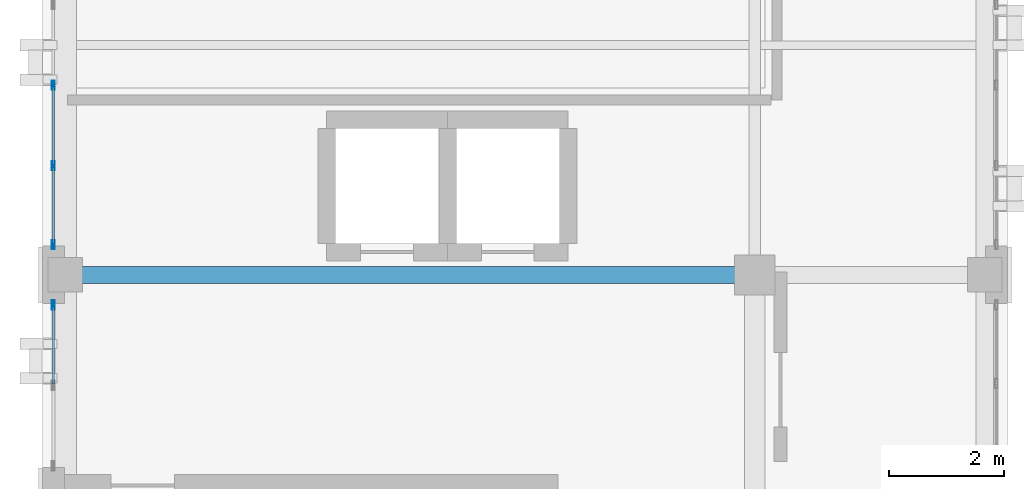
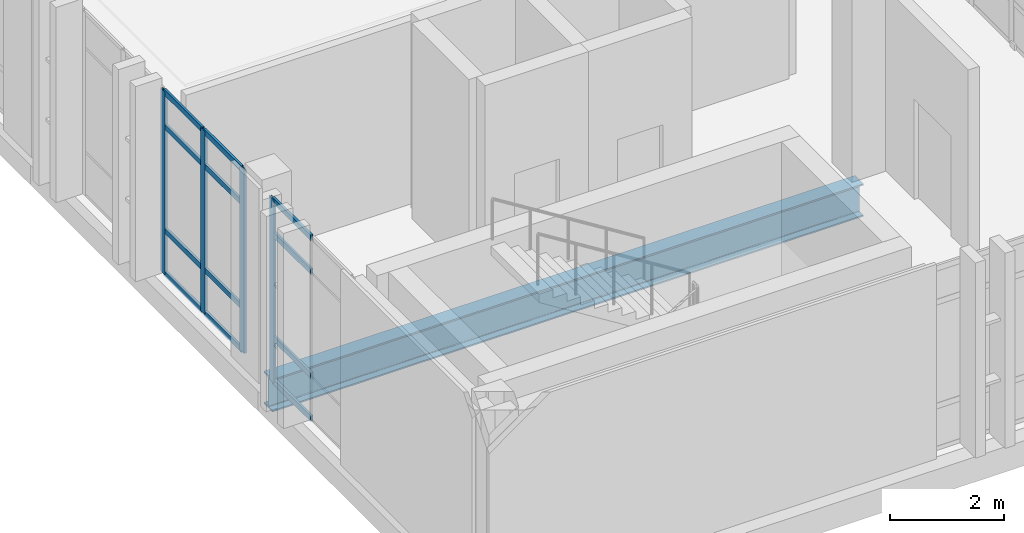
# One storey, part 4 of 90: 16 members, 1 beam, 2 elements without a shape of their own.
"""IFC4 building model written with IfcOpenShell, lengths in metres."""

from ifc_helpers import new_model, si_unit, direction, frame, origin, origin_2d, place, context, subcontext, project, spatial, hollow_rectangle, i_section, extrude, material, layer, layer_set, material_profile, profile_set, type_object, element, aggregate, save


model = new_model("IFC4")

# Units and contexts
model_context = context("Model", 3, precision=1e-05, world=origin(), true_north=direction((0.0, 1.0)))
body_context = subcontext(model_context, "Body", "Model", "MODEL_VIEW")
ifc_project = project(units=[si_unit("LENGTHUNIT", "METRE"), si_unit("AREAUNIT", "SQUARE_METRE"), si_unit("VOLUMEUNIT", "CUBIC_METRE"), si_unit("PLANEANGLEUNIT", "RADIAN"), si_unit("MASSUNIT", "GRAM", prefix="KILO")], contexts=[model_context])

# Site, building, storey
site_placement = place(None, origin())
site = spatial("IfcSite", under=ifc_project, at=site_placement, CompositionType="ELEMENT")
building_placement = place(site_placement, origin())
building = spatial("IfcBuilding", under=site, at=building_placement, Name="Qalavern Law Courts", CompositionType="ELEMENT")
storey_placement = place(building_placement, frame((0.0, 0.0, 22.800048828125)))
storey = spatial("IfcBuildingStorey", under=building, at=storey_placement, Name="L05", CompositionType="ELEMENT", Elevation=22.800048828125)

# Curtain wall, members
ifc_material_1 = material(Name="Anodised aluminium and insulated glazing", Category="aluminium")
ifc_layer = layer(ifc_material_1, 0.159912109375)
ifc_layer_set = layer_set([ifc_layer], Name="Anodised aluminium and insulated glazing")
curtain_wall_type = type_object("IfcCurtainWallType", Name="ENV-CW-CHAMB", PredefinedType="USERDEFINED", material=ifc_layer_set)
curtain_wall_1_placement = place(storey_placement, origin())
curtain_wall_1 = element("IfcCurtainWall", 1, at=curtain_wall_1_placement, inside=storey, type_object=curtain_wall_type, Name="V3 unitised curtain wall L05 west 6", ObjectType="UNITISED CURTAIN WALL", PredefinedType="USERDEFINED")
ifc_material_2 = material(Name="Anodised aluminium", Category="aluminium")
ifc_material_profile_1 = material_profile(ifc_material_2, hollow_rectangle(XDim=0.048095703125, YDim=0.159912109375, WallThickness=0.00390625, at=origin_2d()), Name="ALU MULLION 48x160")
ifc_profile_set_1 = profile_set([ifc_material_profile_1], Name="Anodised aluminium")
member_type_1 = type_object("IfcMemberType", Name="ENV-CWM-48x160", PredefinedType="MULLION", material=ifc_profile_set_1)
member_1_placement = place(storey_placement, frame((2.1923828125, 52.699951171875, 0.0), z_axis=(0.0, 0.0, 1.0), x_axis=(1.0, 0.0, 0.0)))
member_1 = element("IfcMember", 2, at=member_1_placement, type_object=member_type_1, Name="CW-04 mullion 4", PredefinedType="MULLION", context=body_context, shape_type="SweptSolid", body=[
    extrude(hollow_rectangle(XDim=0.048095703125, YDim=0.159912109375, WallThickness=0.00390625, at=origin_2d()), origin(), (0.0, 0.0, 1.0), 3.929931640625),
])
member_2_placement = place(storey_placement, frame((2.1923828125, 51.300048828125, 0.0), z_axis=(0.0, 0.0, 1.0), x_axis=(1.0, 0.0, 0.0)))
member_2 = element("IfcMember", 3, at=member_2_placement, type_object=member_type_1, Name="CW-04 mullion 5", PredefinedType="MULLION", context=body_context, shape_type="SweptSolid", body=[
    extrude(hollow_rectangle(XDim=0.048095703125, YDim=0.159912109375, WallThickness=0.00390625, at=origin_2d()), origin(), (0.0, 0.0, 1.0), 3.929931640625),
])
member_3_placement = place(storey_placement, frame((2.1923828125, 49.924072265625, 0.0), z_axis=(0.0, 0.0, 1.0), x_axis=(1.0, 0.0, 0.0)))
member_3 = element("IfcMember", 4, at=member_3_placement, type_object=member_type_1, Name="CW-04 mullion 6", PredefinedType="MULLION", context=body_context, shape_type="SweptSolid", body=[
    extrude(hollow_rectangle(XDim=0.048095703125, YDim=0.159912109375, WallThickness=0.00390625, at=origin_2d()), origin(), (0.0, 0.0, 1.0), 3.929931640625),
])

# Curtain wall, member
curtain_wall_2_placement = place(storey_placement, origin())
curtain_wall_2 = element("IfcCurtainWall", 5, at=curtain_wall_2_placement, inside=storey, type_object=curtain_wall_type, Name="V3 unitised curtain wall L05 west 7", ObjectType="UNITISED CURTAIN WALL", PredefinedType="USERDEFINED")
member_4_placement = place(storey_placement, frame((2.1923828125, 48.8759765625, 0.0), z_axis=(0.0, 0.0, 1.0), x_axis=(1.0, 0.0, 0.0)))
member_4 = element("IfcMember", 6, at=member_4_placement, type_object=member_type_1, Name="CW-04 mullion 1", PredefinedType="MULLION", context=body_context, shape_type="SweptSolid", body=[
    extrude(hollow_rectangle(XDim=0.048095703125, YDim=0.159912109375, WallThickness=0.00390625, at=origin_2d()), origin(), (0.0, 0.0, 1.0), 3.929931640625),
])

# Member
ifc_material_profile_2 = material_profile(ifc_material_2, hollow_rectangle(XDim=0.048095703125, YDim=0.1201171875, WallThickness=0.00390625, at=origin_2d()), Name="ALU TRANSOM 48x120")
ifc_profile_set_2 = profile_set([ifc_material_profile_2], Name="Anodised aluminium")
member_type_2 = type_object("IfcMemberType", Name="ENV-CWT-48x120", PredefinedType="USERDEFINED", material=ifc_profile_set_2)
member_5_placement = place(storey_placement, frame((2.1923828125, 52.676025390625, 0.02392578125), z_axis=(0.0, -1.0, 0.0), x_axis=(1.0, 0.0, 0.0)))
member_5 = element("IfcMember", 7, at=member_5_placement, type_object=member_type_2, Name="CW-04 transom 4.1", ObjectType="TRANSOM", PredefinedType="USERDEFINED", context=body_context, shape_type="SweptSolid", body=[
    extrude(hollow_rectangle(XDim=0.048095703125, YDim=0.1201171875, WallThickness=0.00390625, at=origin_2d()), origin(), (0.0, 0.0, 1.0), 1.35205078125),
])

member_6_placement = place(storey_placement, frame((2.1923828125, 52.676025390625, 0.949951171875), z_axis=(0.0, -1.0, 0.0), x_axis=(1.0, 0.0, 0.0)))
member_6 = element("IfcMember", 8, at=member_6_placement, type_object=member_type_2, Name="CW-04 transom 4.2", ObjectType="TRANSOM", PredefinedType="USERDEFINED", context=body_context, shape_type="SweptSolid", body=[
    extrude(hollow_rectangle(XDim=0.048095703125, YDim=0.1201171875, WallThickness=0.00390625, at=origin_2d()), origin(), (0.0, 0.0, 1.0), 1.35205078125),
])

member_7_placement = place(storey_placement, frame((2.1923828125, 52.676025390625, 3.179931640625), z_axis=(0.0, -1.0, 0.0), x_axis=(1.0, 0.0, 0.0)))
member_7 = element("IfcMember", 9, at=member_7_placement, type_object=member_type_2, Name="CW-04 transom 4.3", ObjectType="TRANSOM", PredefinedType="USERDEFINED", context=body_context, shape_type="SweptSolid", body=[
    extrude(hollow_rectangle(XDim=0.048095703125, YDim=0.1201171875, WallThickness=0.00390625, at=origin_2d()), origin(), (0.0, 0.0, 1.0), 1.35205078125),
])

member_8_placement = place(storey_placement, frame((2.1923828125, 52.676025390625, 3.906005859375), z_axis=(0.0, -1.0, 0.0), x_axis=(1.0, 0.0, 0.0)))
member_8 = element("IfcMember", 10, at=member_8_placement, type_object=member_type_2, Name="CW-04 transom 4.4", ObjectType="TRANSOM", PredefinedType="USERDEFINED", context=body_context, shape_type="SweptSolid", body=[
    extrude(hollow_rectangle(XDim=0.048095703125, YDim=0.1201171875, WallThickness=0.00390625, at=origin_2d()), origin(), (0.0, 0.0, 1.0), 1.35205078125),
])

member_9_placement = place(storey_placement, frame((2.1923828125, 51.27587890625, 0.02392578125), z_axis=(0.0, -1.0, 0.0), x_axis=(1.0, 0.0, 0.0)))
member_9 = element("IfcMember", 11, at=member_9_placement, type_object=member_type_2, Name="CW-04 transom 5.1", ObjectType="TRANSOM", PredefinedType="USERDEFINED", context=body_context, shape_type="SweptSolid", body=[
    extrude(hollow_rectangle(XDim=0.048095703125, YDim=0.1201171875, WallThickness=0.00390625, at=origin_2d()), origin(), (0.0, 0.0, 1.0), 1.327880859375),
])

member_10_placement = place(storey_placement, frame((2.1923828125, 51.27587890625, 0.949951171875), z_axis=(0.0, -1.0, 0.0), x_axis=(1.0, 0.0, 0.0)))
member_10 = element("IfcMember", 12, at=member_10_placement, type_object=member_type_2, Name="CW-04 transom 5.2", ObjectType="TRANSOM", PredefinedType="USERDEFINED", context=body_context, shape_type="SweptSolid", body=[
    extrude(hollow_rectangle(XDim=0.048095703125, YDim=0.1201171875, WallThickness=0.00390625, at=origin_2d()), origin(), (0.0, 0.0, 1.0), 1.327880859375),
])

member_11_placement = place(storey_placement, frame((2.1923828125, 51.27587890625, 3.179931640625), z_axis=(0.0, -1.0, 0.0), x_axis=(1.0, 0.0, 0.0)))
member_11 = element("IfcMember", 13, at=member_11_placement, type_object=member_type_2, Name="CW-04 transom 5.3", ObjectType="TRANSOM", PredefinedType="USERDEFINED", context=body_context, shape_type="SweptSolid", body=[
    extrude(hollow_rectangle(XDim=0.048095703125, YDim=0.1201171875, WallThickness=0.00390625, at=origin_2d()), origin(), (0.0, 0.0, 1.0), 1.327880859375),
])

member_12_placement = place(storey_placement, frame((2.1923828125, 51.27587890625, 3.906005859375), z_axis=(0.0, -1.0, 0.0), x_axis=(1.0, 0.0, 0.0)))
member_12 = element("IfcMember", 14, at=member_12_placement, type_object=member_type_2, Name="CW-04 transom 5.4", ObjectType="TRANSOM", PredefinedType="USERDEFINED", context=body_context, shape_type="SweptSolid", body=[
    extrude(hollow_rectangle(XDim=0.048095703125, YDim=0.1201171875, WallThickness=0.00390625, at=origin_2d()), origin(), (0.0, 0.0, 1.0), 1.327880859375),
])

aggregate(curtain_wall_1, [member_1, member_2, member_3, member_5, member_6, member_7, member_8, member_9, member_10, member_11, member_12])

member_13_placement = place(storey_placement, frame((2.1923828125, 48.85205078125, 0.02392578125), z_axis=(0.0, -1.0, 0.0), x_axis=(1.0, 0.0, 0.0)))
member_13 = element("IfcMember", 15, at=member_13_placement, type_object=member_type_2, Name="CW-04 transom 1.1", ObjectType="TRANSOM", PredefinedType="USERDEFINED", context=body_context, shape_type="SweptSolid", body=[
    extrude(hollow_rectangle(XDim=0.048095703125, YDim=0.1201171875, WallThickness=0.00390625, at=origin_2d()), origin(), (0.0, 0.0, 1.0), 1.35302734375),
])

member_14_placement = place(storey_placement, frame((2.1923828125, 48.85205078125, 0.949951171875), z_axis=(0.0, -1.0, 0.0), x_axis=(1.0, 0.0, 0.0)))
member_14 = element("IfcMember", 16, at=member_14_placement, type_object=member_type_2, Name="CW-04 transom 1.2", ObjectType="TRANSOM", PredefinedType="USERDEFINED", context=body_context, shape_type="SweptSolid", body=[
    extrude(hollow_rectangle(XDim=0.048095703125, YDim=0.1201171875, WallThickness=0.00390625, at=origin_2d()), origin(), (0.0, 0.0, 1.0), 1.35302734375),
])

member_15_placement = place(storey_placement, frame((2.1923828125, 48.85205078125, 3.179931640625), z_axis=(0.0, -1.0, 0.0), x_axis=(1.0, 0.0, 0.0)))
member_15 = element("IfcMember", 17, at=member_15_placement, type_object=member_type_2, Name="CW-04 transom 1.3", ObjectType="TRANSOM", PredefinedType="USERDEFINED", context=body_context, shape_type="SweptSolid", body=[
    extrude(hollow_rectangle(XDim=0.048095703125, YDim=0.1201171875, WallThickness=0.00390625, at=origin_2d()), origin(), (0.0, 0.0, 1.0), 1.35302734375),
])

member_16_placement = place(storey_placement, frame((2.1923828125, 48.85205078125, 3.906005859375), z_axis=(0.0, -1.0, 0.0), x_axis=(1.0, 0.0, 0.0)))
member_16 = element("IfcMember", 18, at=member_16_placement, type_object=member_type_2, Name="CW-04 transom 1.4", ObjectType="TRANSOM", PredefinedType="USERDEFINED", context=body_context, shape_type="SweptSolid", body=[
    extrude(hollow_rectangle(XDim=0.048095703125, YDim=0.1201171875, WallThickness=0.00390625, at=origin_2d()), origin(), (0.0, 0.0, 1.0), 1.35302734375),
])

aggregate(curtain_wall_2, [member_4, member_13, member_14, member_15, member_16])

# Beam
ifc_material_3 = material(Name="Steel S355", Category="steel")
ifc_material_profile_3 = material_profile(ifc_material_3, i_section(OverallWidth=0.300048828125, OverallDepth=0.699951171875, WebThickness=0.01708984375, FlangeThickness=0.031982421875, FilletRadius=0.027099609375, at=origin_2d()), Name="HEB 700")
ifc_profile_set_3 = profile_set([ifc_material_profile_3], Name="Steel S355")
beam_type = type_object("IfcBeamType", Name="STR-BM-HEB700", PredefinedType="BEAM", material=ifc_profile_set_3)
beam_placement = place(storey_placement, frame((2.39990234375, 49.39990234375, -0.625), z_axis=(1.0, 0.0, 0.0), x_axis=(0.0, 1.0, 0.0)))
element("IfcBeam", 19, at=beam_placement, inside=storey, type_object=beam_type, Name="V3 X-beam 2-1 L05", PredefinedType="BEAM", context=body_context, shape_type="SweptSolid", body=[
    extrude(i_section(OverallWidth=0.300048828125, OverallDepth=0.699951171875, WebThickness=0.01708984375, FlangeThickness=0.031982421875, FilletRadius=0.027099609375, at=origin_2d()), origin(), (0.0, 0.0, 1.0), 12.0),
])

save(model, "model.ifc")
